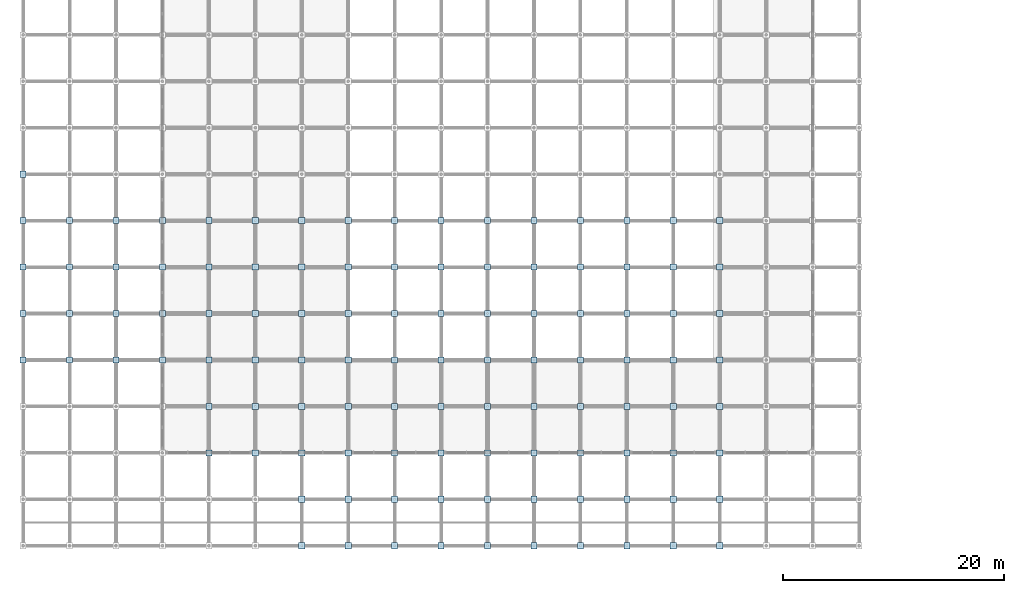
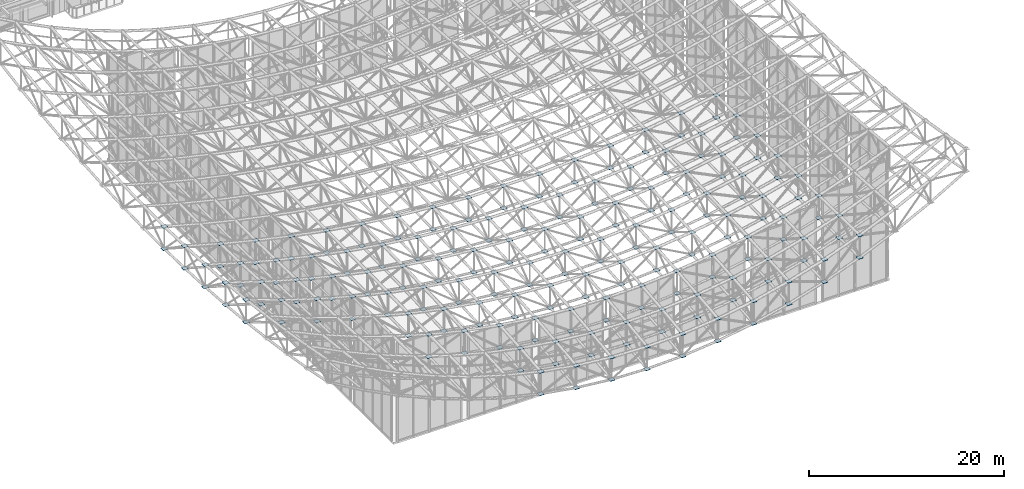
# One storey, part 67 of 93: 218 plates.
"""IFC4 building model written with IfcOpenShell, lengths in metres."""

from ifc_helpers import new_model, si_unit, direction, frame, origin, origin_2d, place, context, subcontext, project, spatial, rectangle, extrude, material, layer, layer_set, type_object, element, save


model = new_model("IFC4")

# Units and contexts
model_context = context("Model", 3, precision=1e-05, world=origin(), true_north=direction((0.0, 1.0)))
body_context = subcontext(model_context, "Body", "Model", "MODEL_VIEW")
ifc_project = project(units=[si_unit("LENGTHUNIT", "METRE"), si_unit("AREAUNIT", "SQUARE_METRE"), si_unit("VOLUMEUNIT", "CUBIC_METRE"), si_unit("PLANEANGLEUNIT", "RADIAN"), si_unit("MASSUNIT", "GRAM", prefix="KILO")], contexts=[model_context])

# Site, building, storey
site_placement = place(None, origin())
site = spatial("IfcSite", under=ifc_project, at=site_placement, CompositionType="ELEMENT")
building_placement = place(site_placement, origin())
building = spatial("IfcBuilding", under=site, at=building_placement, Name="Cumbredor Promenade Congress Hotel", CompositionType="ELEMENT")
storey_placement = place(building_placement, frame((0.0, 0.0, 21.840087890625)))
storey = spatial("IfcBuildingStorey", under=building, at=storey_placement, Name="L06", CompositionType="ELEMENT", Elevation=21.840087890625)

# Plates
ifc_material = material(Name="Steel ASTM A572 Grade 50", Category="steel")
ifc_layer = layer(ifc_material, 0.035888671875, Name="Steel ASTM A572 Grade 50", Category="steel")
ifc_layer_set = layer_set([ifc_layer], Name="Steel ASTM A572 Grade 50")
plate_type = type_object("IfcPlateType", Name="Space Frame Node Assembly ND-01", PredefinedType="USERDEFINED", material=ifc_layer_set)
for number, where, z_axis, x_axis, name in (
    (1, (-4.199951171875, 16.800048828125, 17.24169921875), (0.0, 0.0, 1.0), (1.0, 0.0, 0.0), "Plenary Congress Hall Space Frame Top Node 1.5"),
    (2, (-4.199951171875, 16.800048828125, 14.44140625), (0.0, 0.0, 1.0), (1.0, 0.0, 0.0), "Plenary Congress Hall Space Frame Bottom Node 1.5"),
    (3, (-4.199951171875, 21.0, 16.8349609375), (0.0, 0.0, 1.0), (1.0, 0.0, 0.0), "Plenary Congress Hall Space Frame Top Node 1.6"),
    (4, (-4.199951171875, 21.0, 14.03515625), (0.0, 0.0, 1.0), (1.0, 0.0, 0.0), "Plenary Congress Hall Space Frame Bottom Node 1.6"),
    (5, (-4.199951171875, 25.199951171875, 16.5302734375), (0.0, 0.0, 1.0), (1.0, 0.0, 0.0), "Plenary Congress Hall Space Frame Top Node 1.7"),
    (6, (-4.199951171875, 25.199951171875, 13.73046875), (0.0, 0.0, 1.0), (1.0, 0.0, 0.0), "Plenary Congress Hall Space Frame Bottom Node 1.7"),
    (7, (-4.199951171875, 29.39990234375, 16.3271484375), (0.0, 0.0, 1.0), (1.0, 0.0, 0.0), "Plenary Congress Hall Space Frame Top Node 1.8"),
    (8, (-4.199951171875, 29.39990234375, 13.52685546875), (0.0, 0.0, 1.0), (1.0, 0.0, 0.0), "Plenary Congress Hall Space Frame Bottom Node 1.8"),
    (9, (-4.199951171875, 33.60009765625, 16.2255859375), (0.0, 0.0, 1.0), (1.0, 0.0, 0.0), "Plenary Congress Hall Space Frame Top Node 1.9"),
    (10, (-4.199951171875, 33.60009765625, 13.42529296875), (0.0, 0.0, 1.0), (1.0, 0.0, 0.0), "Plenary Congress Hall Space Frame Bottom Node 1.9"),
    (11, (0.0, 16.800048828125, 15.7255859375), (0.0, 0.0, 1.0), (1.0, 0.0, 0.0), "Plenary Congress Hall Space Frame Top Node 2.5"),
    (12, (0.0, 16.800048828125, 12.92578125), (0.0, 0.0, 1.0), (1.0, 0.0, 0.0), "Plenary Congress Hall Space Frame Bottom Node 2.5"),
    (13, (0.0, 21.0, 15.46142578125), (0.0, 0.0, 1.0), (1.0, 0.0, 0.0), "Plenary Congress Hall Space Frame Top Node 2.6"),
    (14, (0.0, 21.0, 12.66162109375), (0.0, 0.0, 1.0), (1.0, 0.0, 0.0), "Plenary Congress Hall Space Frame Bottom Node 2.6"),
    (15, (0.0, 25.199951171875, 15.263671875), (0.0, 0.0, 1.0), (1.0, 0.0, 0.0), "Plenary Congress Hall Space Frame Top Node 2.7"),
    (16, (0.0, 25.199951171875, 12.4638671875), (0.0, 0.0, 1.0), (1.0, 0.0, 0.0), "Plenary Congress Hall Space Frame Bottom Node 2.7"),
    (17, (0.0, 29.39990234375, 15.1318359375), (0.0, 0.0, 1.0), (1.0, 0.0, 0.0), "Plenary Congress Hall Space Frame Top Node 2.8"),
    (18, (0.0, 29.39990234375, 12.33154296875), (0.0, 0.0, 1.0), (1.0, 0.0, 0.0), "Plenary Congress Hall Space Frame Bottom Node 2.8"),
    (19, (4.199951171875, 16.800048828125, 14.3955078125), (0.0, 0.0, 1.0), (1.0, 0.0, 0.0), "Plenary Congress Hall Space Frame Top Node 3.5"),
    (20, (4.199951171875, 16.800048828125, 11.59521484375), (0.0, 0.0, 1.0), (1.0, 0.0, 0.0), "Plenary Congress Hall Space Frame Bottom Node 3.5"),
    (21, (4.199951171875, 21.0, 14.25537109375), (0.0, 0.0, 1.0), (1.0, 0.0, 0.0), "Plenary Congress Hall Space Frame Top Node 3.6"),
    (22, (4.199951171875, 21.0, 11.45556640625), (0.0, 0.0, 1.0), (1.0, 0.0, 0.0), "Plenary Congress Hall Space Frame Bottom Node 3.6"),
    (23, (4.199951171875, 25.199951171875, 14.15087890625), (0.0, 0.0, 1.0), (1.0, 0.0, 0.0), "Plenary Congress Hall Space Frame Top Node 3.7"),
    (24, (4.199951171875, 25.199951171875, 11.3505859375), (0.0, 0.0, 1.0), (1.0, 0.0, 0.0), "Plenary Congress Hall Space Frame Bottom Node 3.7"),
    (25, (4.199951171875, 29.39990234375, 14.08056640625), (0.0, 0.0, 1.0), (1.0, 0.0, 0.0), "Plenary Congress Hall Space Frame Top Node 3.8"),
    (26, (4.199951171875, 29.39990234375, 11.28076171875), (0.0, 0.0, 1.0), (1.0, 0.0, 0.0), "Plenary Congress Hall Space Frame Bottom Node 3.8"),
    (27, (8.39990234375, 16.800048828125, 13.2421875), (0.0, 0.0, 1.0), (1.0, 0.0, 0.0), "Plenary Congress Hall Space Frame Top Node 4.5"),
    (28, (8.39990234375, 16.800048828125, 10.44189453125), (0.0, 0.0, 1.0), (1.0, 0.0, 0.0), "Plenary Congress Hall Space Frame Bottom Node 4.5"),
    (29, (8.39990234375, 21.0, 13.2099609375), (0.0, 0.0, 1.0), (1.0, 0.0, 0.0), "Plenary Congress Hall Space Frame Top Node 4.6"),
    (30, (8.39990234375, 21.0, 10.41015625), (0.0, 0.0, 1.0), (1.0, 0.0, 0.0), "Plenary Congress Hall Space Frame Bottom Node 4.6"),
    (31, (8.39990234375, 25.199951171875, 13.185546875), (0.0, 0.0, 1.0), (1.0, 0.0, 0.0), "Plenary Congress Hall Space Frame Top Node 4.7"),
    (32, (8.39990234375, 25.199951171875, 10.3857421875), (0.0, 0.0, 1.0), (1.0, 0.0, 0.0), "Plenary Congress Hall Space Frame Bottom Node 4.7"),
    (33, (8.39990234375, 29.39990234375, 13.16943359375), (0.0, 0.0, 1.0), (1.0, 0.0, 0.0), "Plenary Congress Hall Space Frame Top Node 4.8"),
    (34, (8.39990234375, 29.39990234375, 10.36962890625), (0.0, 0.0, 1.0), (1.0, 0.0, 0.0), "Plenary Congress Hall Space Frame Bottom Node 4.8"),
    (35, (12.60009765625, 8.39990234375, 12.103515625), (0.0, 0.0, 1.0), (1.0, 0.0, 0.0), "Plenary Congress Hall Space Frame Top Node 5.3"),
    (36, (12.60009765625, 8.39990234375, 9.3037109375), (0.0, 0.0, 1.0), (1.0, 0.0, 0.0), "Plenary Congress Hall Space Frame Bottom Node 5.3"),
    (37, (12.60009765625, 12.60009765625, 12.1923828125), (0.0, 0.0, 1.0), (1.0, 0.0, 0.0), "Plenary Congress Hall Space Frame Top Node 5.4"),
    (38, (12.60009765625, 12.60009765625, 9.392578125), (0.0, 0.0, 1.0), (1.0, 0.0, 0.0), "Plenary Congress Hall Space Frame Bottom Node 5.4"),
    (39, (12.60009765625, 16.800048828125, 12.26611328125), (0.0, 0.0, 1.0), (1.0, 0.0, 0.0), "Plenary Congress Hall Space Frame Top Node 5.5"),
    (40, (12.60009765625, 16.800048828125, 9.46630859375), (0.0, 0.0, 1.0), (1.0, 0.0, 0.0), "Plenary Congress Hall Space Frame Bottom Node 5.5"),
    (41, (12.60009765625, 21.0, 12.3251953125), (0.0, 0.0, 1.0), (1.0, 0.0, 0.0), "Plenary Congress Hall Space Frame Top Node 5.6"),
    (42, (12.60009765625, 21.0, 9.52490234375), (0.0, 0.0, 1.0), (1.0, 0.0, 0.0), "Plenary Congress Hall Space Frame Bottom Node 5.6"),
    (43, (12.60009765625, 25.199951171875, 12.369140625), (0.0, 0.0, 1.0), (1.0, 0.0, 0.0), "Plenary Congress Hall Space Frame Top Node 5.7"),
    (44, (12.60009765625, 25.199951171875, 9.5693359375), (0.0, 0.0, 1.0), (1.0, 0.0, 0.0), "Plenary Congress Hall Space Frame Bottom Node 5.7"),
    (45, (12.60009765625, 29.39990234375, 12.3984375), (0.0, 0.0, 1.0), (1.0, 0.0, 0.0), "Plenary Congress Hall Space Frame Top Node 5.8"),
    (46, (12.60009765625, 29.39990234375, 9.5986328125), (0.0, 0.0, 1.0), (1.0, 0.0, 0.0), "Plenary Congress Hall Space Frame Bottom Node 5.8"),
    (47, (16.800048828125, 8.39990234375, 11.10009765625), (0.0, 0.0, 1.0), (1.0, 0.0, 0.0), "Plenary Congress Hall Space Frame Top Node 6.3"),
    (48, (16.800048828125, 8.39990234375, 8.30029296875), (0.0, 0.0, 1.0), (1.0, 0.0, 0.0), "Plenary Congress Hall Space Frame Bottom Node 6.3"),
    (49, (16.800048828125, 12.60009765625, 11.30078125), (0.0, 0.0, 1.0), (1.0, 0.0, 0.0), "Plenary Congress Hall Space Frame Top Node 6.4"),
    (50, (16.800048828125, 12.60009765625, 8.50048828125), (0.0, 0.0, 1.0), (1.0, 0.0, 0.0), "Plenary Congress Hall Space Frame Bottom Node 6.4"),
    (51, (16.800048828125, 16.800048828125, 11.4677734375), (0.0, 0.0, 1.0), (1.0, 0.0, 0.0), "Plenary Congress Hall Space Frame Top Node 6.5"),
    (52, (16.800048828125, 16.800048828125, 8.66748046875), (0.0, 0.0, 1.0), (1.0, 0.0, 0.0), "Plenary Congress Hall Space Frame Bottom Node 6.5"),
    (53, (16.800048828125, 21.0, 11.60107421875), (0.0, 0.0, 1.0), (1.0, 0.0, 0.0), "Plenary Congress Hall Space Frame Top Node 6.6"),
    (54, (16.800048828125, 21.0, 8.80126953125), (0.0, 0.0, 1.0), (1.0, 0.0, 0.0), "Plenary Congress Hall Space Frame Bottom Node 6.6"),
    (55, (16.800048828125, 25.199951171875, 11.701171875), (0.0, 0.0, 1.0), (1.0, 0.0, 0.0), "Plenary Congress Hall Space Frame Top Node 6.7"),
    (56, (16.800048828125, 25.199951171875, 8.9013671875), (0.0, 0.0, 1.0), (1.0, 0.0, 0.0), "Plenary Congress Hall Space Frame Bottom Node 6.7"),
    (57, (16.800048828125, 29.39990234375, 11.76806640625), (0.0, 0.0, 1.0), (1.0, 0.0, 0.0), "Plenary Congress Hall Space Frame Top Node 6.8"),
    (58, (16.800048828125, 29.39990234375, 8.9677734375), (0.0, 0.0, 1.0), (1.0, 0.0, 0.0), "Plenary Congress Hall Space Frame Bottom Node 6.8"),
    (59, (21.0, 0.0, 9.60302734375), (0.0, 0.0, 1.0), (1.0, 0.0, 0.0), "Plenary Congress Hall Space Frame Top Node 7.1"),
    (60, (21.0, 0.0, 6.802734375), (0.0, 0.0, 1.0), (1.0, 0.0, 0.0), "Plenary Congress Hall Space Frame Bottom Node 7.1"),
    (61, (21.0, 4.199951171875, 9.984375), (0.0, 0.0, 1.0), (1.0, 0.0, 0.0), "Plenary Congress Hall Space Frame Top Node 7.2"),
    (62, (21.0, 4.199951171875, 7.1845703125), (0.0, 0.0, 1.0), (1.0, 0.0, 0.0), "Plenary Congress Hall Space Frame Bottom Node 7.2"),
    (63, (21.0, 8.39990234375, 10.31982421875), (0.0, 0.0, 1.0), (1.0, 0.0, 0.0), "Plenary Congress Hall Space Frame Top Node 7.3"),
    (64, (21.0, 8.39990234375, 7.51953125), (0.0, 0.0, 1.0), (1.0, 0.0, 0.0), "Plenary Congress Hall Space Frame Bottom Node 7.3"),
    (65, (21.0, 12.60009765625, 10.60693359375), (0.0, 0.0, 1.0), (1.0, 0.0, 0.0), "Plenary Congress Hall Space Frame Top Node 7.4"),
    (66, (21.0, 12.60009765625, 7.80712890625), (0.0, 0.0, 1.0), (1.0, 0.0, 0.0), "Plenary Congress Hall Space Frame Bottom Node 7.4"),
    (67, (21.0, 16.800048828125, 10.8466796875), (0.0, 0.0, 1.0), (1.0, 0.0, 0.0), "Plenary Congress Hall Space Frame Top Node 7.5"),
    (68, (21.0, 16.800048828125, 8.046875), (0.0, 0.0, 1.0), (1.0, 0.0, 0.0), "Plenary Congress Hall Space Frame Bottom Node 7.5"),
    (69, (21.0, 21.0, 11.0380859375), (0.0, 0.0, 1.0), (1.0, 0.0, 0.0), "Plenary Congress Hall Space Frame Top Node 7.6"),
    (70, (21.0, 21.0, 8.23828125), (0.0, 0.0, 1.0), (1.0, 0.0, 0.0), "Plenary Congress Hall Space Frame Bottom Node 7.6"),
    (71, (21.0, 25.199951171875, 11.181640625), (0.0, 0.0, 1.0), (1.0, 0.0, 0.0), "Plenary Congress Hall Space Frame Top Node 7.7"),
    (72, (21.0, 25.199951171875, 8.3818359375), (0.0, 0.0, 1.0), (1.0, 0.0, 0.0), "Plenary Congress Hall Space Frame Bottom Node 7.7"),
    (73, (21.0, 29.39990234375, 11.27734375), (0.0, 0.0, 1.0), (1.0, 0.0, 0.0), "Plenary Congress Hall Space Frame Top Node 7.8"),
    (74, (21.0, 29.39990234375, 8.4775390625), (0.0, 0.0, 1.0), (1.0, 0.0, 0.0), "Plenary Congress Hall Space Frame Bottom Node 7.8"),
    (75, (25.199951171875, 0.0, 8.8896484375), (0.0, 0.0, 1.0), (1.0, 0.0, 0.0), "Plenary Congress Hall Space Frame Top Node 8.1"),
    (76, (25.199951171875, 0.0, 6.08984375), (0.0, 0.0, 1.0), (1.0, 0.0, 0.0), "Plenary Congress Hall Space Frame Bottom Node 8.1"),
    (77, (25.199951171875, 4.199951171875, 9.3544921875), (0.0, 0.0, 1.0), (1.0, 0.0, 0.0), "Plenary Congress Hall Space Frame Top Node 8.2"),
    (78, (25.199951171875, 4.199951171875, 6.5546875), (0.0, 0.0, 1.0), (1.0, 0.0, 0.0), "Plenary Congress Hall Space Frame Bottom Node 8.2"),
    (79, (25.199951171875, 8.39990234375, 9.76220703125), (0.0, 0.0, 1.0), (1.0, 0.0, 0.0), "Plenary Congress Hall Space Frame Top Node 8.3"),
    (80, (25.199951171875, 8.39990234375, 6.96240234375), (0.0, 0.0, 1.0), (1.0, 0.0, 0.0), "Plenary Congress Hall Space Frame Bottom Node 8.3"),
    (81, (25.199951171875, 12.60009765625, 10.11181640625), (0.0, 0.0, 1.0), (1.0, 0.0, 0.0), "Plenary Congress Hall Space Frame Top Node 8.4"),
    (82, (25.199951171875, 12.60009765625, 7.31201171875), (0.0, 0.0, 1.0), (1.0, 0.0, 0.0), "Plenary Congress Hall Space Frame Bottom Node 8.4"),
    (83, (25.199951171875, 16.800048828125, 10.4033203125), (0.0, 0.0, 1.0), (1.0, 0.0, 0.0), "Plenary Congress Hall Space Frame Top Node 8.5"),
    (84, (25.199951171875, 16.800048828125, 7.60302734375), (0.0, 0.0, 1.0), (1.0, 0.0, 0.0), "Plenary Congress Hall Space Frame Bottom Node 8.5"),
    (85, (25.199951171875, 21.0, 10.63623046875), (0.0, 0.0, 1.0), (1.0, 0.0, 0.0), "Plenary Congress Hall Space Frame Top Node 8.6"),
    (86, (25.199951171875, 21.0, 7.8359375), (0.0, 0.0, 1.0), (1.0, 0.0, 0.0), "Plenary Congress Hall Space Frame Bottom Node 8.6"),
    (87, (25.199951171875, 25.199951171875, 10.810546875), (0.0, 0.0, 1.0), (1.0, 0.0, 0.0), "Plenary Congress Hall Space Frame Top Node 8.7"),
    (88, (25.199951171875, 25.199951171875, 8.0107421875), (0.0, 0.0, 1.0), (1.0, 0.0, 0.0), "Plenary Congress Hall Space Frame Bottom Node 8.7"),
    (89, (25.199951171875, 29.39990234375, 10.92724609375), (0.0, 0.0, 1.0), (1.0, 0.0, 0.0), "Plenary Congress Hall Space Frame Top Node 8.8"),
    (90, (25.199951171875, 29.39990234375, 8.126953125), (0.0, 0.0, 1.0), (1.0, 0.0, 0.0), "Plenary Congress Hall Space Frame Bottom Node 8.8"),
    (91, (29.39990234375, 0.0, 8.4619140625), (0.0, 0.0, 1.0), (1.0, 0.0, 0.0), "Plenary Congress Hall Space Frame Top Node 9.1"),
    (92, (29.39990234375, 0.0, 5.662109375), (0.0, 0.0, 1.0), (1.0, 0.0, 0.0), "Plenary Congress Hall Space Frame Bottom Node 9.1"),
    (93, (29.39990234375, 4.199951171875, 8.9765625), (0.0, 0.0, 1.0), (1.0, 0.0, 0.0), "Plenary Congress Hall Space Frame Top Node 9.2"),
    (94, (29.39990234375, 4.199951171875, 6.1767578125), (0.0, 0.0, 1.0), (1.0, 0.0, 0.0), "Plenary Congress Hall Space Frame Bottom Node 9.2"),
    (95, (29.39990234375, 8.39990234375, 9.42822265625), (0.0, 0.0, 1.0), (1.0, 0.0, 0.0), "Plenary Congress Hall Space Frame Top Node 9.3"),
    (96, (29.39990234375, 8.39990234375, 6.6279296875), (0.0, 0.0, 1.0), (1.0, 0.0, 0.0), "Plenary Congress Hall Space Frame Bottom Node 9.3"),
    (97, (29.39990234375, 12.60009765625, 9.81494140625), (0.0, 0.0, 1.0), (1.0, 0.0, 0.0), "Plenary Congress Hall Space Frame Top Node 9.4"),
    (98, (29.39990234375, 12.60009765625, 7.0146484375), (0.0, 0.0, 1.0), (1.0, 0.0, 0.0), "Plenary Congress Hall Space Frame Bottom Node 9.4"),
    (99, (29.39990234375, 16.800048828125, 10.13720703125), (0.0, 0.0, 1.0), (1.0, 0.0, 0.0), "Plenary Congress Hall Space Frame Top Node 9.5"),
    (100, (29.39990234375, 16.800048828125, 7.3369140625), (0.0, 0.0, 1.0), (1.0, 0.0, 0.0), "Plenary Congress Hall Space Frame Bottom Node 9.5"),
    (101, (29.39990234375, 21.0, 10.39453125), (0.0, 0.0, 1.0), (1.0, 0.0, 0.0), "Plenary Congress Hall Space Frame Top Node 9.6"),
    (102, (29.39990234375, 21.0, 7.5947265625), (0.0, 0.0, 1.0), (1.0, 0.0, 0.0), "Plenary Congress Hall Space Frame Bottom Node 9.6"),
    (103, (29.39990234375, 25.199951171875, 10.58837890625), (0.0, 0.0, 1.0), (1.0, 0.0, 0.0), "Plenary Congress Hall Space Frame Top Node 9.7"),
    (104, (29.39990234375, 25.199951171875, 7.7880859375), (0.0, 0.0, 1.0), (1.0, 0.0, 0.0), "Plenary Congress Hall Space Frame Bottom Node 9.7"),
    (105, (29.39990234375, 29.39990234375, 10.646484375), (0.0, 0.0, 1.0), (1.0, 0.0, 0.0), "Plenary Congress Hall Space Frame Top Node 9.8"),
    (106, (29.39990234375, 29.39990234375, 7.8466796875), (0.0, 0.0, 1.0), (1.0, 0.0, 0.0), "Plenary Congress Hall Space Frame Bottom Node 9.8"),
    (107, (33.60009765625, 0.0, 8.31982421875), (0.0, 0.0, 1.0), (1.0, 0.0, 0.0), "Plenary Congress Hall Space Frame Top Node 10.1"),
    (108, (33.60009765625, 0.0, 5.52001953125), (0.0, 0.0, 1.0), (1.0, 0.0, 0.0), "Plenary Congress Hall Space Frame Bottom Node 10.1"),
    (109, (33.60009765625, 4.199951171875, 8.8515625), (0.0, 0.0, 1.0), (1.0, 0.0, 0.0), "Plenary Congress Hall Space Frame Top Node 10.2"),
    (110, (33.60009765625, 4.199951171875, 6.05126953125), (0.0, 0.0, 1.0), (1.0, 0.0, 0.0), "Plenary Congress Hall Space Frame Bottom Node 10.2"),
    (111, (33.60009765625, 8.39990234375, 9.31689453125), (0.0, 0.0, 1.0), (1.0, 0.0, 0.0), "Plenary Congress Hall Space Frame Top Node 10.3"),
    (112, (33.60009765625, 8.39990234375, 6.51708984375), (0.0, 0.0, 1.0), (1.0, 0.0, 0.0), "Plenary Congress Hall Space Frame Bottom Node 10.3"),
    (113, (33.60009765625, 12.60009765625, 9.7158203125), (0.0, 0.0, 1.0), (1.0, 0.0, 0.0), "Plenary Congress Hall Space Frame Top Node 10.4"),
    (114, (33.60009765625, 12.60009765625, 6.916015625), (0.0, 0.0, 1.0), (1.0, 0.0, 0.0), "Plenary Congress Hall Space Frame Bottom Node 10.4"),
    (115, (33.60009765625, 16.800048828125, 10.04833984375), (0.0, 0.0, 1.0), (1.0, 0.0, 0.0), "Plenary Congress Hall Space Frame Top Node 10.5"),
    (116, (33.60009765625, 16.800048828125, 7.24853515625), (0.0, 0.0, 1.0), (1.0, 0.0, 0.0), "Plenary Congress Hall Space Frame Bottom Node 10.5"),
    (117, (33.60009765625, 21.0, 10.314453125), (0.0, 0.0, 1.0), (1.0, 0.0, 0.0), "Plenary Congress Hall Space Frame Top Node 10.6"),
    (118, (33.60009765625, 21.0, 7.5146484375), (0.0, 0.0, 1.0), (1.0, 0.0, 0.0), "Plenary Congress Hall Space Frame Bottom Node 10.6"),
    (119, (33.60009765625, 25.199951171875, 10.51416015625), (0.0, 0.0, 1.0), (1.0, 0.0, 0.0), "Plenary Congress Hall Space Frame Top Node 10.7"),
    (120, (33.60009765625, 25.199951171875, 7.7138671875), (0.0, 0.0, 1.0), (1.0, 0.0, 0.0), "Plenary Congress Hall Space Frame Bottom Node 10.7"),
    (121, (33.60009765625, 29.39990234375, 10.64697265625), (0.0, 0.0, 1.0), (1.0, 0.0, 0.0), "Plenary Congress Hall Space Frame Top Node 10.8"),
    (122, (33.60009765625, 29.39990234375, 7.84716796875), (0.0, 0.0, 1.0), (1.0, 0.0, 0.0), "Plenary Congress Hall Space Frame Bottom Node 10.8"),
    (123, (37.800048828125, 0.0, 8.4619140625), (0.0, 0.0, 1.0), (1.0, 0.0, 0.0), "Plenary Congress Hall Space Frame Top Node 11.1"),
    (124, (37.800048828125, 0.0, 5.662109375), (0.0, 0.0, 1.0), (1.0, 0.0, 0.0), "Plenary Congress Hall Space Frame Bottom Node 11.1"),
    (125, (37.800048828125, 4.199951171875, 8.9765625), (0.0, 0.0, 1.0), (1.0, 0.0, 0.0), "Plenary Congress Hall Space Frame Top Node 11.2"),
    (126, (37.800048828125, 4.199951171875, 6.1767578125), (0.0, 0.0, 1.0), (1.0, 0.0, 0.0), "Plenary Congress Hall Space Frame Bottom Node 11.2"),
    (127, (37.800048828125, 8.39990234375, 9.42822265625), (0.0, 0.0, 1.0), (1.0, 0.0, 0.0), "Plenary Congress Hall Space Frame Top Node 11.3"),
    (128, (37.800048828125, 8.39990234375, 6.6279296875), (0.0, 0.0, 1.0), (1.0, 0.0, 0.0), "Plenary Congress Hall Space Frame Bottom Node 11.3"),
    (129, (37.800048828125, 12.60009765625, 9.81494140625), (0.0, 0.0, 1.0), (1.0, 0.0, 0.0), "Plenary Congress Hall Space Frame Top Node 11.4"),
    (130, (37.800048828125, 12.60009765625, 7.0146484375), (0.0, 0.0, 1.0), (1.0, 0.0, 0.0), "Plenary Congress Hall Space Frame Bottom Node 11.4"),
    (131, (37.800048828125, 16.800048828125, 10.13720703125), (0.0, 0.0, 1.0), (1.0, 0.0, 0.0), "Plenary Congress Hall Space Frame Top Node 11.5"),
    (132, (37.800048828125, 16.800048828125, 7.3369140625), (0.0, 0.0, 1.0), (1.0, 0.0, 0.0), "Plenary Congress Hall Space Frame Bottom Node 11.5"),
    (133, (37.800048828125, 21.0, 10.39453125), (0.0, 0.0, 1.0), (1.0, 0.0, 0.0), "Plenary Congress Hall Space Frame Top Node 11.6"),
    (134, (37.800048828125, 21.0, 7.5947265625), (0.0, 0.0, 1.0), (1.0, 0.0, 0.0), "Plenary Congress Hall Space Frame Bottom Node 11.6"),
    (135, (37.800048828125, 25.199951171875, 10.58837890625), (0.0, 0.0, 1.0), (1.0, 0.0, 0.0), "Plenary Congress Hall Space Frame Top Node 11.7"),
    (136, (37.800048828125, 25.199951171875, 7.7880859375), (0.0, 0.0, 1.0), (1.0, 0.0, 0.0), "Plenary Congress Hall Space Frame Bottom Node 11.7"),
    (137, (37.800048828125, 29.39990234375, 10.646484375), (0.0, 0.0, 1.0), (1.0, 0.0, 0.0), "Plenary Congress Hall Space Frame Top Node 11.8"),
    (138, (37.800048828125, 29.39990234375, 7.8466796875), (0.0, 0.0, 1.0), (1.0, 0.0, 0.0), "Plenary Congress Hall Space Frame Bottom Node 11.8"),
    (139, (42.0, 0.0, 8.8896484375), (0.0, 0.0, 1.0), (1.0, 0.0, 0.0), "Plenary Congress Hall Space Frame Top Node 12.1"),
    (140, (42.0, 0.0, 6.08984375), (0.0, 0.0, 1.0), (1.0, 0.0, 0.0), "Plenary Congress Hall Space Frame Bottom Node 12.1"),
    (141, (42.0, 4.199951171875, 9.3544921875), (0.0, 0.0, 1.0), (1.0, 0.0, 0.0), "Plenary Congress Hall Space Frame Top Node 12.2"),
    (142, (42.0, 4.199951171875, 6.5546875), (0.0, 0.0, 1.0), (1.0, 0.0, 0.0), "Plenary Congress Hall Space Frame Bottom Node 12.2"),
    (143, (42.0, 8.39990234375, 9.76220703125), (0.0, 0.0, 1.0), (1.0, 0.0, 0.0), "Plenary Congress Hall Space Frame Top Node 12.3"),
    (144, (42.0, 8.39990234375, 6.96240234375), (0.0, 0.0, 1.0), (1.0, 0.0, 0.0), "Plenary Congress Hall Space Frame Bottom Node 12.3"),
    (145, (42.0, 12.60009765625, 10.11181640625), (0.0, 0.0, 1.0), (1.0, 0.0, 0.0), "Plenary Congress Hall Space Frame Top Node 12.4"),
    (146, (42.0, 12.60009765625, 7.31201171875), (0.0, 0.0, 1.0), (1.0, 0.0, 0.0), "Plenary Congress Hall Space Frame Bottom Node 12.4"),
    (147, (42.0, 16.800048828125, 10.4033203125), (0.0, 0.0, 1.0), (1.0, 0.0, 0.0), "Plenary Congress Hall Space Frame Top Node 12.5"),
    (148, (42.0, 16.800048828125, 7.60302734375), (0.0, 0.0, 1.0), (1.0, 0.0, 0.0), "Plenary Congress Hall Space Frame Bottom Node 12.5"),
    (149, (42.0, 21.0, 10.63623046875), (0.0, 0.0, 1.0), (1.0, 0.0, 0.0), "Plenary Congress Hall Space Frame Top Node 12.6"),
    (150, (42.0, 21.0, 7.8359375), (0.0, 0.0, 1.0), (1.0, 0.0, 0.0), "Plenary Congress Hall Space Frame Bottom Node 12.6"),
    (151, (42.0, 25.199951171875, 10.810546875), (0.0, 0.0, 1.0), (1.0, 0.0, 0.0), "Plenary Congress Hall Space Frame Top Node 12.7"),
    (152, (42.0, 25.199951171875, 8.0107421875), (0.0, 0.0, 1.0), (1.0, 0.0, 0.0), "Plenary Congress Hall Space Frame Bottom Node 12.7"),
    (153, (42.0, 29.39990234375, 10.92724609375), (0.0, 0.0, 1.0), (1.0, 0.0, 0.0), "Plenary Congress Hall Space Frame Top Node 12.8"),
    (154, (42.0, 29.39990234375, 8.126953125), (0.0, 0.0, 1.0), (1.0, 0.0, 0.0), "Plenary Congress Hall Space Frame Bottom Node 12.8"),
    (155, (46.199951171875, 0.0, 9.60302734375), (0.0, 0.0, 1.0), (1.0, 0.0, 0.0), "Plenary Congress Hall Space Frame Top Node 13.1"),
    (156, (46.199951171875, 0.0, 6.802734375), (0.0, 0.0, 1.0), (1.0, 0.0, 0.0), "Plenary Congress Hall Space Frame Bottom Node 13.1"),
    (157, (46.199951171875, 4.199951171875, 9.984375), (0.0, 0.0, 1.0), (1.0, 0.0, 0.0), "Plenary Congress Hall Space Frame Top Node 13.2"),
    (158, (46.199951171875, 4.199951171875, 7.1845703125), (0.0, 0.0, 1.0), (1.0, 0.0, 0.0), "Plenary Congress Hall Space Frame Bottom Node 13.2"),
    (159, (46.199951171875, 8.39990234375, 10.31982421875), (0.0, 0.0, 1.0), (1.0, 0.0, 0.0), "Plenary Congress Hall Space Frame Top Node 13.3"),
    (160, (46.199951171875, 8.39990234375, 7.51953125), (0.0, 0.0, 1.0), (1.0, 0.0, 0.0), "Plenary Congress Hall Space Frame Bottom Node 13.3"),
    (161, (46.199951171875, 12.60009765625, 10.60693359375), (0.0, 0.0, 1.0), (1.0, 0.0, 0.0), "Plenary Congress Hall Space Frame Top Node 13.4"),
    (162, (46.199951171875, 12.60009765625, 7.80712890625), (0.0, 0.0, 1.0), (1.0, 0.0, 0.0), "Plenary Congress Hall Space Frame Bottom Node 13.4"),
    (163, (46.199951171875, 16.800048828125, 10.8466796875), (0.0, 0.0, 1.0), (1.0, 0.0, 0.0), "Plenary Congress Hall Space Frame Top Node 13.5"),
    (164, (46.199951171875, 16.800048828125, 8.046875), (0.0, 0.0, 1.0), (1.0, 0.0, 0.0), "Plenary Congress Hall Space Frame Bottom Node 13.5"),
    (165, (46.199951171875, 21.0, 11.0380859375), (0.0, 0.0, 1.0), (1.0, 0.0, 0.0), "Plenary Congress Hall Space Frame Top Node 13.6"),
    (166, (46.199951171875, 21.0, 8.23828125), (0.0, 0.0, 1.0), (1.0, 0.0, 0.0), "Plenary Congress Hall Space Frame Bottom Node 13.6"),
    (167, (46.199951171875, 25.199951171875, 11.181640625), (0.0, 0.0, 1.0), (1.0, 0.0, 0.0), "Plenary Congress Hall Space Frame Top Node 13.7"),
    (168, (46.199951171875, 25.199951171875, 8.3818359375), (0.0, 0.0, 1.0), (1.0, 0.0, 0.0), "Plenary Congress Hall Space Frame Bottom Node 13.7"),
    (169, (46.199951171875, 29.39990234375, 11.27734375), (0.0, 0.0, 1.0), (1.0, 0.0, 0.0), "Plenary Congress Hall Space Frame Top Node 13.8"),
    (170, (46.199951171875, 29.39990234375, 8.4775390625), (0.0, 0.0, 1.0), (1.0, 0.0, 0.0), "Plenary Congress Hall Space Frame Bottom Node 13.8"),
    (171, (50.39990234375, 0.0, 10.6015625), (0.0, 0.0, 1.0), (1.0, 0.0, 0.0), "Plenary Congress Hall Space Frame Top Node 14.1"),
    (172, (50.39990234375, 0.0, 7.80126953125), (0.0, 0.0, 1.0), (1.0, 0.0, 0.0), "Plenary Congress Hall Space Frame Bottom Node 14.1"),
    (173, (50.39990234375, 4.199951171875, 10.8662109375), (0.0, 0.0, 1.0), (1.0, 0.0, 0.0), "Plenary Congress Hall Space Frame Top Node 14.2"),
    (174, (50.39990234375, 4.199951171875, 8.06591796875), (0.0, 0.0, 1.0), (1.0, 0.0, 0.0), "Plenary Congress Hall Space Frame Bottom Node 14.2"),
    (175, (50.39990234375, 8.39990234375, 11.10009765625), (0.0, 0.0, 1.0), (1.0, 0.0, 0.0), "Plenary Congress Hall Space Frame Top Node 14.3"),
    (176, (50.39990234375, 8.39990234375, 8.30029296875), (0.0, 0.0, 1.0), (1.0, 0.0, 0.0), "Plenary Congress Hall Space Frame Bottom Node 14.3"),
    (177, (50.39990234375, 12.60009765625, 11.30078125), (0.0, 0.0, 1.0), (1.0, 0.0, 0.0), "Plenary Congress Hall Space Frame Top Node 14.4"),
    (178, (50.39990234375, 12.60009765625, 8.50048828125), (0.0, 0.0, 1.0), (1.0, 0.0, 0.0), "Plenary Congress Hall Space Frame Bottom Node 14.4"),
    (179, (50.39990234375, 16.800048828125, 11.4677734375), (0.0, 0.0, 1.0), (1.0, 0.0, 0.0), "Plenary Congress Hall Space Frame Top Node 14.5"),
    (180, (50.39990234375, 16.800048828125, 8.66748046875), (0.0, 0.0, 1.0), (1.0, 0.0, 0.0), "Plenary Congress Hall Space Frame Bottom Node 14.5"),
    (181, (50.39990234375, 21.0, 11.60107421875), (0.0, 0.0, 1.0), (1.0, 0.0, 0.0), "Plenary Congress Hall Space Frame Top Node 14.6"),
    (182, (50.39990234375, 21.0, 8.80126953125), (0.0, 0.0, 1.0), (1.0, 0.0, 0.0), "Plenary Congress Hall Space Frame Bottom Node 14.6"),
    (183, (50.39990234375, 25.199951171875, 11.701171875), (0.0, 0.0, 1.0), (1.0, 0.0, 0.0), "Plenary Congress Hall Space Frame Top Node 14.7"),
    (184, (50.39990234375, 25.199951171875, 8.9013671875), (0.0, 0.0, 1.0), (1.0, 0.0, 0.0), "Plenary Congress Hall Space Frame Bottom Node 14.7"),
    (185, (50.39990234375, 29.39990234375, 11.76806640625), (0.0, 0.0, 1.0), (1.0, 0.0, 0.0), "Plenary Congress Hall Space Frame Top Node 14.8"),
    (186, (50.39990234375, 29.39990234375, 8.9677734375), (0.0, 0.0, 1.0), (1.0, 0.0, 0.0), "Plenary Congress Hall Space Frame Bottom Node 14.8"),
    (187, (54.60009765625, 0.0, 11.88525390625), (0.0, 0.0, 1.0), (1.0, 0.0, 0.0), "Plenary Congress Hall Space Frame Top Node 15.1"),
    (188, (54.60009765625, 0.0, 9.0849609375), (0.0, 0.0, 1.0), (1.0, 0.0, 0.0), "Plenary Congress Hall Space Frame Bottom Node 15.1"),
    (189, (54.60009765625, 4.199951171875, 12.0), (0.0, 0.0, 1.0), (1.0, 0.0, 0.0), "Plenary Congress Hall Space Frame Top Node 15.2"),
    (190, (54.60009765625, 4.199951171875, 9.19970703125), (0.0, 0.0, 1.0), (1.0, 0.0, 0.0), "Plenary Congress Hall Space Frame Bottom Node 15.2"),
    (191, (54.60009765625, 8.39990234375, 12.103515625), (0.0, 0.0, 1.0), (1.0, 0.0, 0.0), "Plenary Congress Hall Space Frame Top Node 15.3"),
    (192, (54.60009765625, 8.39990234375, 9.3037109375), (0.0, 0.0, 1.0), (1.0, 0.0, 0.0), "Plenary Congress Hall Space Frame Bottom Node 15.3"),
    (193, (54.60009765625, 12.60009765625, 12.1923828125), (0.0, 0.0, 1.0), (1.0, 0.0, 0.0), "Plenary Congress Hall Space Frame Top Node 15.4"),
    (194, (54.60009765625, 12.60009765625, 9.392578125), (0.0, 0.0, 1.0), (1.0, 0.0, 0.0), "Plenary Congress Hall Space Frame Bottom Node 15.4"),
    (195, (54.60009765625, 16.800048828125, 12.26611328125), (0.0, 0.0, 1.0), (1.0, 0.0, 0.0), "Plenary Congress Hall Space Frame Top Node 15.5"),
    (196, (54.60009765625, 16.800048828125, 9.46630859375), (0.0, 0.0, 1.0), (1.0, 0.0, 0.0), "Plenary Congress Hall Space Frame Bottom Node 15.5"),
    (197, (54.60009765625, 21.0, 12.3251953125), (0.0, 0.0, 1.0), (1.0, 0.0, 0.0), "Plenary Congress Hall Space Frame Top Node 15.6"),
    (198, (54.60009765625, 21.0, 9.52490234375), (0.0, 0.0, 1.0), (1.0, 0.0, 0.0), "Plenary Congress Hall Space Frame Bottom Node 15.6"),
    (199, (54.60009765625, 25.199951171875, 12.369140625), (0.0, 0.0, 1.0), (1.0, 0.0, 0.0), "Plenary Congress Hall Space Frame Top Node 15.7"),
    (200, (54.60009765625, 25.199951171875, 9.5693359375), (0.0, 0.0, 1.0), (1.0, 0.0, 0.0), "Plenary Congress Hall Space Frame Bottom Node 15.7"),
    (201, (54.60009765625, 29.39990234375, 12.3984375), (0.0, 0.0, 1.0), (1.0, 0.0, 0.0), "Plenary Congress Hall Space Frame Top Node 15.8"),
    (202, (54.60009765625, 29.39990234375, 9.5986328125), (0.0, 0.0, 1.0), (1.0, 0.0, 0.0), "Plenary Congress Hall Space Frame Bottom Node 15.8"),
    (203, (58.800048828125, 0.0, 13.4541015625), (0.0, 0.0, 1.0), (1.0, 0.0, 0.0), "Plenary Congress Hall Space Frame Top Node 16.1"),
    (204, (58.800048828125, 0.0, 10.654296875), (0.0, 0.0, 1.0), (1.0, 0.0, 0.0), "Plenary Congress Hall Space Frame Bottom Node 16.1"),
    (205, (58.800048828125, 4.199951171875, 13.38525390625), (0.0, 0.0, 1.0), (1.0, 0.0, 0.0), "Plenary Congress Hall Space Frame Top Node 16.2"),
    (206, (58.800048828125, 4.199951171875, 10.58544921875), (0.0, 0.0, 1.0), (1.0, 0.0, 0.0), "Plenary Congress Hall Space Frame Bottom Node 16.2"),
    (207, (58.800048828125, 8.39990234375, 13.330078125), (0.0, 0.0, 1.0), (1.0, 0.0, 0.0), "Plenary Congress Hall Space Frame Top Node 16.3"),
    (208, (58.800048828125, 8.39990234375, 10.52978515625), (0.0, 0.0, 1.0), (1.0, 0.0, 0.0), "Plenary Congress Hall Space Frame Bottom Node 16.3"),
    (209, (58.800048828125, 12.60009765625, 13.2822265625), (0.0, 0.0, 1.0), (1.0, 0.0, 0.0), "Plenary Congress Hall Space Frame Top Node 16.4"),
    (210, (58.800048828125, 12.60009765625, 10.48193359375), (0.0, 0.0, 1.0), (1.0, 0.0, 0.0), "Plenary Congress Hall Space Frame Bottom Node 16.4"),
    (211, (58.800048828125, 16.800048828125, 13.2421875), (0.0, 0.0, 1.0), (1.0, 0.0, 0.0), "Plenary Congress Hall Space Frame Top Node 16.5"),
    (212, (58.800048828125, 16.800048828125, 10.44189453125), (0.0, 0.0, 1.0), (1.0, 0.0, 0.0), "Plenary Congress Hall Space Frame Bottom Node 16.5"),
    (213, (58.800048828125, 21.0, 13.2099609375), (0.0, 0.0, 1.0), (1.0, 0.0, 0.0), "Plenary Congress Hall Space Frame Top Node 16.6"),
    (214, (58.800048828125, 21.0, 10.41015625), (0.0, 0.0, 1.0), (1.0, 0.0, 0.0), "Plenary Congress Hall Space Frame Bottom Node 16.6"),
    (215, (58.800048828125, 25.199951171875, 13.185546875), (0.0, 0.0, 1.0), (1.0, 0.0, 0.0), "Plenary Congress Hall Space Frame Top Node 16.7"),
    (216, (58.800048828125, 25.199951171875, 10.3857421875), (0.0, 0.0, 1.0), (1.0, 0.0, 0.0), "Plenary Congress Hall Space Frame Bottom Node 16.7"),
    (217, (58.800048828125, 29.39990234375, 13.16943359375), (0.0, 0.0, 1.0), (1.0, 0.0, 0.0), "Plenary Congress Hall Space Frame Top Node 16.8"),
    (218, (58.800048828125, 29.39990234375, 10.36962890625), (0.0, 0.0, 1.0), (1.0, 0.0, 0.0), "Plenary Congress Hall Space Frame Bottom Node 16.8"),
):
    element("IfcPlate", number, at=place(storey_placement, frame(where, z_axis=z_axis, x_axis=x_axis)), inside=storey, type_object=plate_type, Name=name, ObjectType="GUSSET PLATE", PredefinedType="USERDEFINED", context=body_context, shape_type="SweptSolid", body=[
        extrude(rectangle(XDim=0.56005859375, YDim=0.56005859375, at=origin_2d()), origin(), (0.0, 0.0, 1.0), 0.035888671875),
    ])

save(model, "model.ifc")
